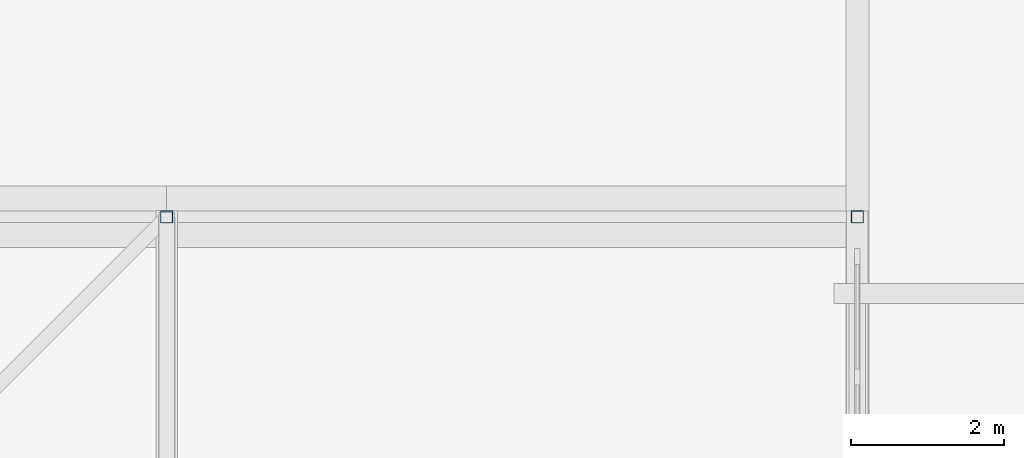
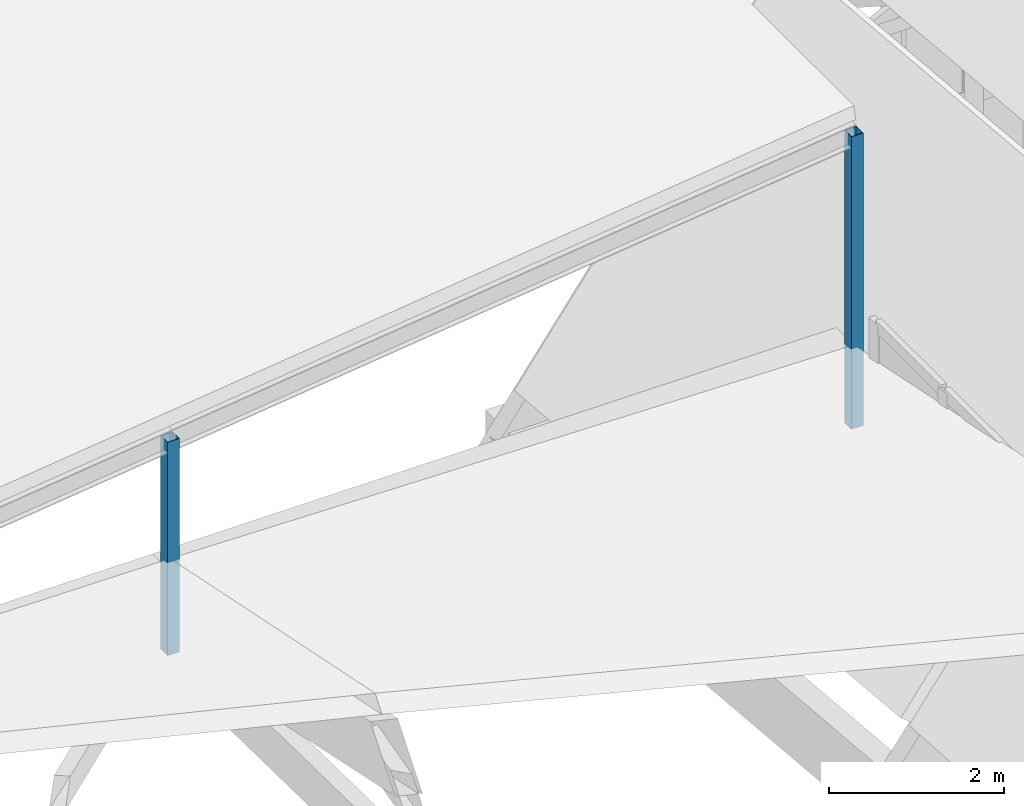
# One storey, part 2 of 93: 2 columns.
"""IFC4 building model written with IfcOpenShell, lengths in metres."""

from ifc_helpers import new_model, si_unit, direction, frame, origin, origin_2d, place, context, subcontext, project, spatial, hollow_rectangle, extrude, material, material_profile, profile_set, type_object, element, save


model = new_model("IFC4")

# Units and contexts
model_context = context("Model", 3, precision=1e-05, world=origin(), true_north=direction((0.0, 1.0)))
body_context = subcontext(model_context, "Body", "Model", "MODEL_VIEW")
ifc_project = project(units=[si_unit("LENGTHUNIT", "METRE"), si_unit("AREAUNIT", "SQUARE_METRE"), si_unit("VOLUMEUNIT", "CUBIC_METRE"), si_unit("PLANEANGLEUNIT", "RADIAN"), si_unit("MASSUNIT", "GRAM", prefix="KILO")], contexts=[model_context])

# Site, building, storey
site_placement = place(None, origin())
site = spatial("IfcSite", under=ifc_project, at=site_placement, CompositionType="ELEMENT")
building_placement = place(site_placement, origin())
building = spatial("IfcBuilding", under=site, at=building_placement, Name="Vourika Railside Aquatics Centre", CompositionType="ELEMENT")
storey_placement = place(building_placement, frame((0.0, 0.0, 21.89990234375)))
storey = spatial("IfcBuildingStorey", under=building, at=storey_placement, Name="Roof", CompositionType="ELEMENT", Elevation=21.89990234375)

# Columns
ifc_material = material(Name="Steel S355J2", Category="steel")
ifc_material_profile = material_profile(ifc_material, hollow_rectangle(XDim=0.159912109375, YDim=0.159912109375, WallThickness=0.008056640625, at=origin_2d()), Name="SHS 160x160x8")
ifc_profile_set = profile_set([ifc_material_profile], Name="Steel S355J2")
column_type = type_object("IfcColumnType", Name="COL-STL-SHS160", PredefinedType="COLUMN", material=ifc_profile_set)
column_1_placement = place(storey_placement, frame((27.0, 58.0, -6.25), z_axis=(0.0, 0.0, 1.0), x_axis=(1.0, 0.0, 0.0)))
element("IfcColumn", 1, at=column_1_placement, inside=storey, type_object=column_type, Name="West Link Roof Post (27,58)", PredefinedType="COLUMN", context=body_context, shape_type="SweptSolid", body=[
    extrude(hollow_rectangle(XDim=0.159912109375, YDim=0.159912109375, WallThickness=0.008056640625, at=origin_2d()), origin(), (0.0, 0.0, 1.0), 2.97021484375),
])
column_2_placement = place(storey_placement, frame((36.0, 58.0, -6.25), z_axis=(0.0, 0.0, 1.0), x_axis=(1.0, 0.0, 0.0)))
element("IfcColumn", 2, at=column_2_placement, inside=storey, type_object=column_type, Name="West Link East Roof Post (36,58)", PredefinedType="COLUMN", context=body_context, shape_type="SweptSolid", body=[
    extrude(hollow_rectangle(XDim=0.159912109375, YDim=0.159912109375, WallThickness=0.008056640625, at=origin_2d()), origin(), (0.0, 0.0, 1.0), 4.070068359375),
])

save(model, "model.ifc")
